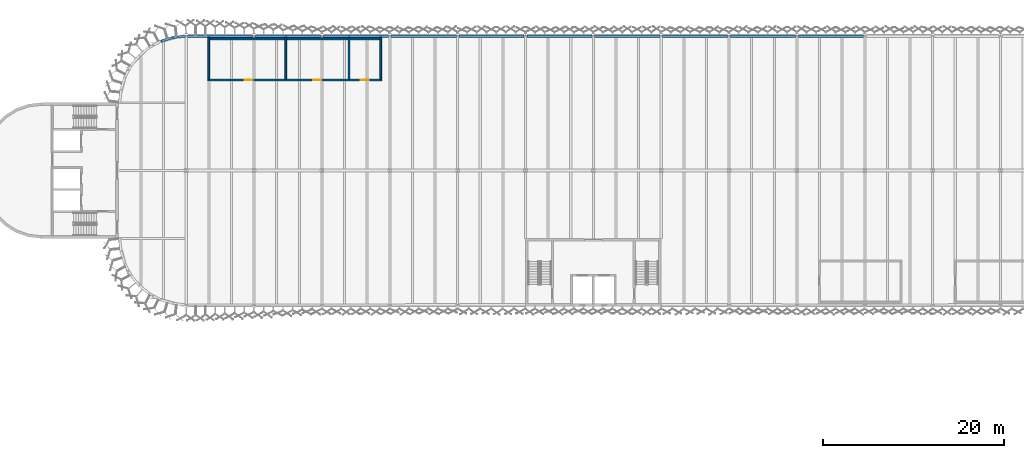
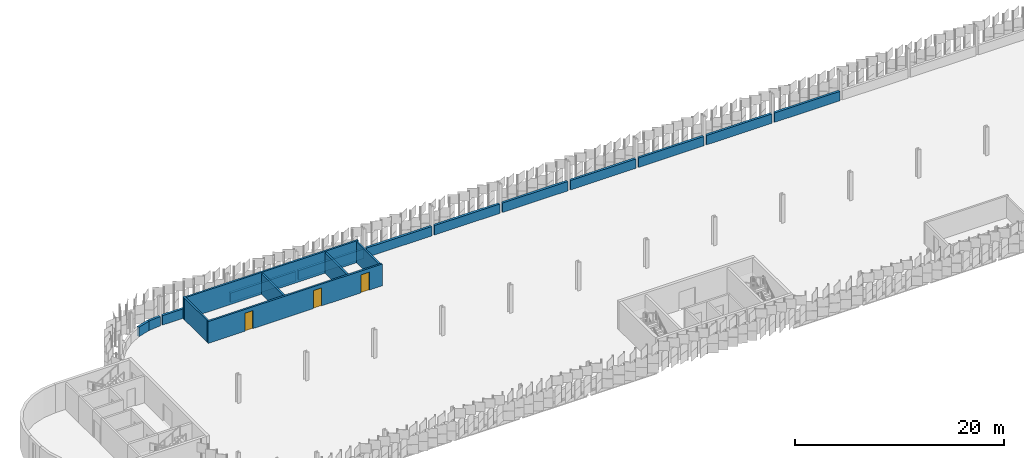
# One storey, part 60 of 198: 18 walls, 3 doors, 3 openings.
"""IFC4 building model written with IfcOpenShell, lengths in metres."""

from ifc_helpers import new_model, si_unit, direction, frame, frame_2d, origin, place, context, subcontext, project, spatial, rectangle, extrude, material, layer, layer_set, type_object, element, fill, save


model = new_model("IFC4")

# Units and contexts
model_context = context("Model", 3, precision=1e-05, world=origin(), true_north=direction((0.0, 1.0)))
body_context = subcontext(model_context, "Body", "Model", "MODEL_VIEW")
ifc_project = project(units=[si_unit("LENGTHUNIT", "METRE"), si_unit("AREAUNIT", "SQUARE_METRE"), si_unit("VOLUMEUNIT", "CUBIC_METRE"), si_unit("PLANEANGLEUNIT", "RADIAN"), si_unit("MASSUNIT", "GRAM", prefix="KILO")], contexts=[model_context])

# Site, building, storey
site_placement = place(None, origin())
site = spatial("IfcSite", under=ifc_project, at=site_placement, CompositionType="ELEMENT")
building_placement = place(site_placement, origin())
building = spatial("IfcBuilding", under=site, at=building_placement, Name="Parallax Yard Mobility Hub", CompositionType="ELEMENT")
storey_placement = place(building_placement, frame((0.0, 0.0, 6.60009765625)))
storey = spatial("IfcBuildingStorey", under=building, at=storey_placement, Name="L02", CompositionType="ELEMENT", Elevation=6.60009765625)

# Walls
ifc_material_1 = material(Name="Concrete fc' 35 MPa", Category="concrete")
ifc_layer_1 = layer(ifc_material_1, 0.25)
ifc_layer_set_1 = layer_set([ifc_layer_1], Name="Deck-edge barrier wall, Concrete fc' 35 MPa precast, 250")
wall_type_1 = type_object("IfcWallType", Name="Deck-edge barrier wall, Concrete fc' 35 MPa precast, 250", PredefinedType="SOLIDWALL", material=ifc_layer_set_1)
for number, where, z_axis, x_axis, name in (
    (1, (104.848388671875, 142.354248046875, 0.0), (0.0, 0.0, 1.0), (-1.0, 0.0, 0.0), "Deck-edge barrier wall bay 60 level L02"),
    (2, (97.348388671875, 142.354248046875, 0.0), (0.0, 0.0, 1.0), (-1.0, 0.0, 0.0), "Deck-edge barrier wall bay 61 level L02"),
    (3, (89.848388671875, 142.354248046875, 0.0), (0.0, 0.0, 1.0), (-1.0, 0.0, 0.0), "Deck-edge barrier wall bay 62 level L02"),
    (4, (82.348388671875, 142.354248046875, 0.0), (0.0, 0.0, 1.0), (-1.0, 0.0, 0.0), "Deck-edge barrier wall bay 63 level L02"),
    (5, (74.848388671875, 142.354248046875, 0.0), (0.0, 0.0, 1.0), (-1.0, 0.0, 0.0), "Deck-edge barrier wall bay 64 level L02"),
    (6, (67.348388671875, 142.354248046875, 0.0), (0.0, 0.0, 1.0), (-1.0, 0.0, 0.0), "Deck-edge barrier wall bay 65 level L02"),
    (7, (59.848388671875, 142.354248046875, 0.0), (0.0, 0.0, 1.0), (-1.0, 0.0, 0.0), "Deck-edge barrier wall bay 66 level L02"),
    (8, (52.348388671875, 142.354248046875, 0.0), (0.0, 0.0, 1.0), (-1.0, 0.0, 0.0), "Deck-edge barrier wall bay 67 level L02"),
    (9, (44.848388671875, 142.354248046875, 0.0), (0.0, 0.0, 1.0), (-1.0, 0.0, 0.0), "Deck-edge barrier wall bay 68 level L02"),
):
    element("IfcWall", number, at=place(storey_placement, frame(where, z_axis=z_axis, x_axis=x_axis)), inside=storey, type_object=wall_type_1, Name=name, PredefinedType="SOLIDWALL", context=body_context, shape_type="SweptSolid", body=[
        extrude(rectangle(XDim=7.19677734375, YDim=0.25, at=frame_2d((3.598388671875, 0.0))), origin(), (0.0, 0.0, 1.0), 1.099853515625),
    ])
wall_1_placement = place(storey_placement, frame((37.348388671875, 142.354248046875, 0.0), z_axis=(0.0, 0.0, 1.0), x_axis=(-0.999999917439, -0.000406352613, 0.0)))
element("IfcWall", 10, at=wall_1_placement, inside=storey, type_object=wall_type_1, Name="Deck-edge barrier wall bay 69 level L02", PredefinedType="SOLIDWALL", context=body_context, shape_type="SweptSolid", body=[
    extrude(rectangle(XDim=7.209716796875, YDim=0.25, at=frame_2d((3.60498046875, 0.0))), origin(), (0.0, 0.0, 1.0), 1.099853515625),
])
wall_2_placement = place(storey_placement, frame((29.90380859375, 142.341064453125, 0.0), z_axis=(0.0, 0.0, 1.0), x_axis=(-0.995179797588, -0.098067173263, 0.0)))
element("IfcWall", 11, at=wall_2_placement, inside=storey, type_object=wall_type_1, Name="Deck-edge barrier wall bay 70-1 level L02", PredefinedType="SOLIDWALL", context=body_context, shape_type="SweptSolid", body=[
    extrude(rectangle(XDim=1.329345703125, YDim=0.25, at=frame_2d((0.66455078125, 0.0))), origin(), (0.0, 0.0, 1.0), 1.099853515625),
])
wall_3_placement = place(storey_placement, frame((28.55224609375, 142.205078125, 0.0), z_axis=(0.0, 0.0, 1.0), x_axis=(-0.956979282244, -0.290156256793, 0.0)))
element("IfcWall", 12, at=wall_3_placement, inside=storey, type_object=wall_type_1, Name="Deck-edge barrier wall bay 70-2 level L02", PredefinedType="SOLIDWALL", context=body_context, shape_type="SweptSolid", body=[
    extrude(rectangle(XDim=1.4111328125, YDim=0.25, at=frame_2d((0.70556640625, 0.0))), origin(), (0.0, 0.0, 1.0), 1.099853515625),
])

# Wall, openings, doors
ifc_material_2 = material(Name="Fire-rated plasterboard partition, two layers each side")
ifc_layer_2 = layer(ifc_material_2, 0.199951171875)
ifc_layer_set_2 = layer_set([ifc_layer_2], Name="Fire-rated partition 200 mm")
wall_type_2 = type_object("IfcWallType", Name="Fire-rated partition 200 mm", PredefinedType="PARTITIONING", material=ifc_layer_set_2)
wall_4_placement = place(storey_placement, frame((32.39990234375, 137.5, 0.0), z_axis=(0.0, 0.0, 1.0), x_axis=(1.0, 0.0, 0.0)))
wall_4 = element("IfcWall", 13, at=wall_4_placement, inside=storey, type_object=wall_type_2, Name="Partition 28 level L02", PredefinedType="PARTITIONING", context=body_context, shape_type="SweptSolid", body=[
    extrude(rectangle(XDim=19.2001953125, YDim=0.199951171875, at=frame_2d((9.60009765625, 0.0))), origin(), (0.0, 0.0, 1.0), 2.5478515625),
])
opening_1_placement = place(wall_4_placement, frame((4.050048828125, 0.0, 0.0)))
opening_1 = element("IfcOpeningElement", 14, at=opening_1_placement, cuts=wall_4, Name="Opening L02-D220", PredefinedType="OPENING", context=body_context, shape_type="SweptSolid", body=[
    extrude(rectangle(XDim=0.89990234375, YDim=2.10009765625, at=frame_2d((0.449951171875, 1.050048828125))), frame((0.0, 0.10986328125, 0.0), z_axis=(0.0, -1.0, 0.0), x_axis=(1.0, 0.0, 0.0)), (0.0, 0.0, 1.0), 0.219970703125),
])
opening_2_placement = place(wall_4_placement, frame((11.625244140625, 0.0, 0.0)))
opening_2 = element("IfcOpeningElement", 15, at=opening_2_placement, cuts=wall_4, Name="Opening L02-D221", PredefinedType="OPENING", context=body_context, shape_type="SweptSolid", body=[
    extrude(rectangle(XDim=0.89990234375, YDim=2.10009765625, at=frame_2d((0.449951171875, 1.050048828125))), frame((0.0, 0.10986328125, 0.0), z_axis=(0.0, -1.0, 0.0), x_axis=(1.0, 0.0, 0.0)), (0.0, 0.0, 1.0), 0.219970703125),
])
opening_3_placement = place(wall_4_placement, frame((16.875244140625, 0.0, 0.0)))
opening_3 = element("IfcOpeningElement", 16, at=opening_3_placement, cuts=wall_4, Name="Opening L02-D222", PredefinedType="OPENING", context=body_context, shape_type="SweptSolid", body=[
    extrude(rectangle(XDim=0.89990234375, YDim=2.10009765625, at=frame_2d((0.449951171875, 1.050048828125))), frame((0.0, 0.10986328125, 0.0), z_axis=(0.0, -1.0, 0.0), x_axis=(1.0, 0.0, 0.0)), (0.0, 0.0, 1.0), 0.219970703125),
])
ifc_material_3 = material(Name="Hollow metal fire door leaf with intumescent seals")
door_type = type_object("IfcDoorType", Name="Fire door 900 mm FD60", OperationType="NOTDEFINED", PredefinedType="DOOR", material=ifc_material_3)
door_1_placement = place(opening_1_placement, origin())
door_1 = element("IfcDoor", 17, at=door_1_placement, inside=storey, type_object=door_type, Name="Door L02-D220 Men's WC", OperationType="SINGLE_SWING_LEFT", OverallHeight=2.10009765625, OverallWidth=0.89990234375, PredefinedType="DOOR", context=body_context, shape_type="SweptSolid", body=[
    extrude(rectangle(XDim=0.89990234375, YDim=2.10009765625, at=frame_2d((0.449951171875, 1.050048828125))), frame((0.0, 0.02490234375, 0.0), z_axis=(0.0, -1.0, 0.0), x_axis=(1.0, 0.0, 0.0)), (0.0, 0.0, 1.0), 0.050048828125),
])
fill(opening_1, door_1)
door_2_placement = place(opening_2_placement, origin())
door_2 = element("IfcDoor", 18, at=door_2_placement, inside=storey, type_object=door_type, Name="Door L02-D221 Women's WC", OperationType="SINGLE_SWING_RIGHT", OverallHeight=2.10009765625, OverallWidth=0.89990234375, PredefinedType="DOOR", context=body_context, shape_type="SweptSolid", body=[
    extrude(rectangle(XDim=0.89990234375, YDim=2.10009765625, at=frame_2d((0.449951171875, 1.050048828125))), frame((0.0, 0.02490234375, 0.0), z_axis=(0.0, -1.0, 0.0), x_axis=(1.0, 0.0, 0.0)), (0.0, 0.0, 1.0), 0.050048828125),
])
fill(opening_2, door_2)
door_3_placement = place(opening_3_placement, origin())
door_3 = element("IfcDoor", 19, at=door_3_placement, inside=storey, type_object=door_type, Name="Door L02-D222 Accessible WC", OperationType="SINGLE_SWING_RIGHT", OverallHeight=2.10009765625, OverallWidth=0.89990234375, PredefinedType="DOOR", context=body_context, shape_type="SweptSolid", body=[
    extrude(rectangle(XDim=0.89990234375, YDim=2.10009765625, at=frame_2d((0.449951171875, 1.050048828125))), frame((0.0, 0.02490234375, 0.0), z_axis=(0.0, -1.0, 0.0), x_axis=(1.0, 0.0, 0.0)), (0.0, 0.0, 1.0), 0.050048828125),
])
fill(opening_3, door_3)

# Walls
wall_5_placement = place(storey_placement, frame((32.39990234375, 142.050048828125, 0.0), z_axis=(0.0, 0.0, 1.0), x_axis=(1.0, 0.0, 0.0)))
element("IfcWall", 20, at=wall_5_placement, inside=storey, type_object=wall_type_2, Name="Partition 29 level L02", PredefinedType="PARTITIONING", context=body_context, shape_type="SweptSolid", body=[
    extrude(rectangle(XDim=19.2001953125, YDim=0.199951171875, at=frame_2d((9.60009765625, 0.0))), origin(), (0.0, 0.0, 1.0), 2.5478515625),
])
wall_6_placement = place(storey_placement, frame((32.5, 137.60009765625, 0.0), z_axis=(0.0, 0.0, 1.0), x_axis=(0.0, 1.0, 0.0)))
element("IfcWall", 21, at=wall_6_placement, inside=storey, type_object=wall_type_2, Name="Partition 30 level L02", PredefinedType="PARTITIONING", context=body_context, shape_type="SweptSolid", body=[
    extrude(rectangle(XDim=4.627197265625, YDim=0.199951171875, at=frame_2d((2.3134765625, 0.0))), origin(), (0.0, 0.0, 1.0), 2.557861328125),
])
for number, where, z_axis, x_axis, name in (
    (22, (41.0, 137.60009765625, 0.0), (0.0, 0.0, 1.0), (0.0, 1.0, 0.0), "Partition 31 level L02"),
    (23, (48.0, 137.60009765625, 0.0), (0.0, 0.0, 1.0), (0.0, 1.0, 0.0), "Partition 32 level L02"),
    (24, (51.5, 137.60009765625, 0.0), (0.0, 0.0, 1.0), (0.0, 1.0, 0.0), "Partition 33 level L02"),
):
    element("IfcWall", number, at=place(storey_placement, frame(where, z_axis=z_axis, x_axis=x_axis)), inside=storey, type_object=wall_type_2, Name=name, PredefinedType="PARTITIONING", context=body_context, shape_type="SweptSolid", body=[
        extrude(rectangle(XDim=4.629150390625, YDim=0.199951171875, at=frame_2d((2.314453125, 0.0))), origin(), (0.0, 0.0, 1.0), 2.409912109375),
    ])

save(model, "model.ifc")
